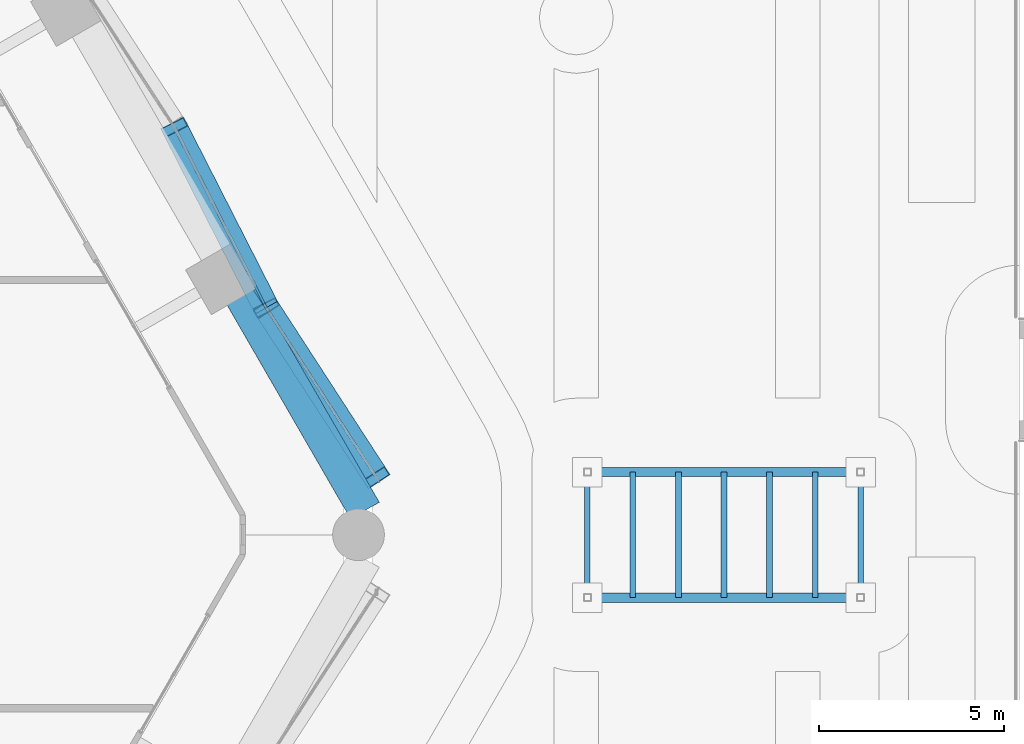
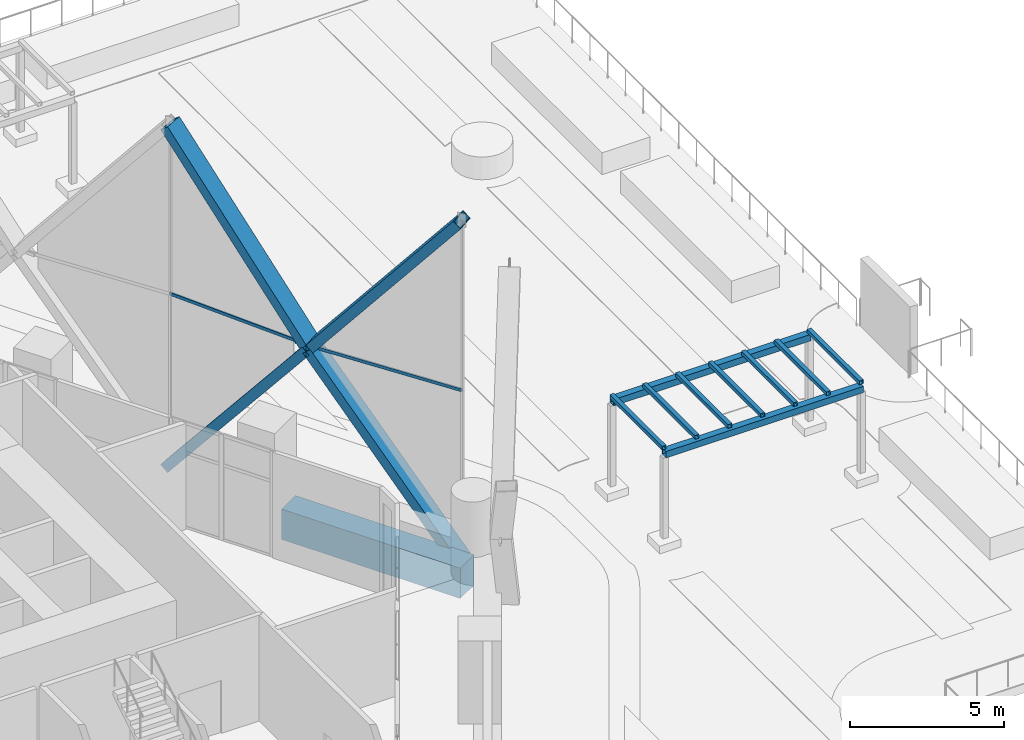
# One storey, part 38 of 71: 13 members, 3 beams, 1 element without a shape of its own.
"""IFC4 building model written with IfcOpenShell, lengths in metres."""

from ifc_helpers import new_model, si_unit, direction, frame, origin, origin_2d, place, context, subcontext, project, spatial, rectangle, hollow_rectangle, extrude, material, material_profile, profile_set, type_object, element, aggregate, save


model = new_model("IFC4")

# Units and contexts
model_context = context("Model", 3, precision=1e-05, world=origin(), true_north=direction((0.0, 1.0)))
body_context = subcontext(model_context, "Body", "Model", "MODEL_VIEW")
ifc_project = project(units=[si_unit("LENGTHUNIT", "METRE"), si_unit("AREAUNIT", "SQUARE_METRE"), si_unit("VOLUMEUNIT", "CUBIC_METRE"), si_unit("PLANEANGLEUNIT", "RADIAN"), si_unit("MASSUNIT", "GRAM", prefix="KILO")], contexts=[model_context])

# Site, building, storey
site_placement = place(None, origin())
site = spatial("IfcSite", under=ifc_project, at=site_placement, CompositionType="ELEMENT")
building_placement = place(site_placement, origin())
building = spatial("IfcBuilding", under=site, at=building_placement, Name="Ostrander Bayou Hotel Tower", CompositionType="ELEMENT")
storey_placement = place(building_placement, frame((0.0, 0.0, 10.0)))
storey = spatial("IfcBuildingStorey", under=building, at=storey_placement, Name="L02", CompositionType="ELEMENT", Elevation=10.0)

# Curtain wall, members
ifc_material_1 = material(Name="Aluminium and clear glass", Category="aluminium")
curtain_wall_type = type_object("IfcCurtainWallType", Name="CW-LAT lattice glazing", PredefinedType="NOTDEFINED", material=ifc_material_1)
curtain_wall_placement = place(storey_placement, origin())
curtain_wall = element("IfcCurtainWall", 1, at=curtain_wall_placement, inside=storey, type_object=curtain_wall_type, Name="CW-LAT L02 NE 2", PredefinedType="NOTDEFINED")
ifc_material_2 = material(Name="Aluminium", Category="aluminium")
ifc_material_profile_1 = material_profile(ifc_material_2, hollow_rectangle(XDim=0.06005859375, YDim=0.1201171875, WallThickness=0.00390625, at=origin_2d()))
ifc_profile_set_1 = profile_set([ifc_material_profile_1], Name="Aluminium")
member_type_1 = type_object("IfcMemberType", Name="CW-LA transom 60 x 120 mm", PredefinedType="USERDEFINED", material=ifc_profile_set_1)
member_1_placement = place(storey_placement, frame((24.58837890625, 1.551513671875, 6.14990234375), z_axis=(-0.544652890505, 0.838661569922, 0.0), x_axis=(-0.838661569922, -0.544652890505, 0.0)))
member_1 = element("IfcMember", 2, at=member_1_placement, type_object=member_type_1, Name="CW-LAT transom 3", ObjectType="TRANSOM", PredefinedType="USERDEFINED", context=body_context, shape_type="SweptSolid", body=[
    extrude(hollow_rectangle(XDim=0.06005859375, YDim=0.1201171875, WallThickness=0.00390625, at=origin_2d()), origin(), (0.0, 0.0, 1.0), 6.0634765625),
])
member_2_placement = place(storey_placement, frame((19.11328125, 11.034912109375, 6.14990234375), z_axis=(0.453987151201, -0.891008230346, 0.0), x_axis=(0.891008230346, 0.453987151201, 0.0)))
member_2 = element("IfcMember", 3, at=member_2_placement, type_object=member_type_1, Name="CW-LAT transom 6", ObjectType="TRANSOM", PredefinedType="USERDEFINED", context=body_context, shape_type="SweptSolid", body=[
    extrude(hollow_rectangle(XDim=0.06005859375, YDim=0.1201171875, WallThickness=0.00390625, at=origin_2d()), origin(), (0.0, 0.0, 1.0), 5.482666015625),
])
aggregate(curtain_wall, [member_1, member_2])

# Members
ifc_material_3 = material(Name="Steel ASTM A572 Gr 50", Category="steel")
ifc_material_profile_2 = material_profile(ifc_material_3, hollow_rectangle(XDim=0.699951171875, YDim=0.35009765625, WallThickness=0.02490234375, at=origin_2d()))
ifc_profile_set_2 = profile_set([ifc_material_profile_2], Name="Steel ASTM A572 Gr 50")
member_type_2 = type_object("IfcMemberType", Name="LT1 lattice member box 700 x 350 x 25 mm", PredefinedType="BRACE", material=ifc_profile_set_2)
for number, where, z_axis, x_axis, name in (
    (4, (21.602294921875, 6.14990234375, 6.14990234375), (0.343376932244, -0.528779700664, -0.776198628296), (0.838682608864, 0.544620493178, 0.0), "LT1 L02 NE 1"),
    (5, (21.602294921875, 6.14990234375, 6.14990234375), (0.343376932244, -0.528779700664, 0.776198628296), (0.838682608864, 0.544620493178, 0.0), "LT1 L02 NE 2"),
):
    element("IfcMember", number, at=place(storey_placement, frame(where, z_axis=z_axis, x_axis=x_axis)), inside=storey, type_object=member_type_2, Name=name, PredefinedType="BRACE", context=body_context, shape_type="SweptSolid", body=[
        extrude(hollow_rectangle(XDim=0.699951171875, YDim=0.35009765625, WallThickness=0.02490234375, at=origin_2d()), origin(), (0.0, 0.0, 1.0), 8.6962890625),
    ])
for number, where, z_axis, x_axis, name in (
    (6, (21.602294921875, 6.14990234375, 6.14990234375), (-0.28622400012, 0.561751448592, -0.776215905377), (-0.891008230346, -0.453987151201, 0.0), "LT1 L02 NE 3"),
    (7, (21.602294921875, 6.14990234375, 6.14990234375), (-0.28622400012, 0.561751448592, 0.776215905377), (-0.891008230346, -0.453987151201, 0.0), "LT1 L02 NE 4"),
):
    element("IfcMember", number, at=place(storey_placement, frame(where, z_axis=z_axis, x_axis=x_axis)), inside=storey, type_object=member_type_2, Name=name, PredefinedType="BRACE", context=body_context, shape_type="SweptSolid", body=[
        extrude(hollow_rectangle(XDim=0.699951171875, YDim=0.35009765625, WallThickness=0.02490234375, at=origin_2d()), origin(), (0.0, 0.0, 1.0), 8.696044921875),
    ])

# Beams
ifc_material_4 = material(Name="Steel ASTM A500 Gr C", Category="steel")
ifc_material_profile_3 = material_profile(ifc_material_4, hollow_rectangle(XDim=0.25390625, YDim=0.25390625, WallThickness=0.01171875, at=origin_2d()))
ifc_profile_set_3 = profile_set([ifc_material_profile_3], Name="Steel ASTM A500 Gr C")
beam_type_1 = type_object("IfcBeamType", Name="PG2 pergola beam HSS10x10x1/2", PredefinedType="BEAM", material=ifc_profile_set_3)
for number, where, z_axis, x_axis, name in (
    (8, (30.300048828125, -1.699951171875, 3.626953125), (1.0, 0.0, 0.0), (0.0, 1.0, 0.0), "PG2 pergola 5 beam 1"),
    (9, (30.300048828125, 1.699951171875, 3.626953125), (1.0, 0.0, 0.0), (0.0, 1.0, 0.0), "PG2 pergola 5 beam 2"),
):
    element("IfcBeam", number, at=place(storey_placement, frame(where, z_axis=z_axis, x_axis=x_axis)), inside=storey, type_object=beam_type_1, Name=name, PredefinedType="BEAM", context=body_context, shape_type="SweptSolid", body=[
        extrude(hollow_rectangle(XDim=0.25390625, YDim=0.25390625, WallThickness=0.01171875, at=origin_2d()), origin(), (0.0, 0.0, 1.0), 7.39990234375),
    ])

# Members
ifc_material_5 = material(Name="Steel ASTM A500 Gr C", Category="steel")
ifc_material_profile_4 = material_profile(ifc_material_5, hollow_rectangle(XDim=0.15234375, YDim=0.15234375, WallThickness=0.0087890625, at=origin_2d()))
ifc_profile_set_4 = profile_set([ifc_material_profile_4], Name="Steel ASTM A500 Gr C")
member_type_3 = type_object("IfcMemberType", Name="PG3 pergola rafter HSS6x6x3/8", PredefinedType="RAFTER", material=ifc_profile_set_4)
for number, where, z_axis, x_axis, name in (
    (10, (30.300048828125, -1.699951171875, 3.830078125), (0.0, 1.0, 0.0), (-1.0, 0.0, 0.0), "PG3 pergola 5 rafter 1"),
    (11, (31.533203125, -1.699951171875, 3.830078125), (0.0, 1.0, 0.0), (-1.0, 0.0, 0.0), "PG3 pergola 5 rafter 2"),
    (12, (32.7666015625, -1.699951171875, 3.830078125), (0.0, 1.0, 0.0), (-1.0, 0.0, 0.0), "PG3 pergola 5 rafter 3"),
    (13, (34.0, -1.699951171875, 3.830078125), (0.0, 1.0, 0.0), (-1.0, 0.0, 0.0), "PG3 pergola 5 rafter 4"),
    (14, (35.2333984375, -1.699951171875, 3.830078125), (0.0, 1.0, 0.0), (-1.0, 0.0, 0.0), "PG3 pergola 5 rafter 5"),
    (15, (36.466796875, -1.699951171875, 3.830078125), (0.0, 1.0, 0.0), (-1.0, 0.0, 0.0), "PG3 pergola 5 rafter 6"),
    (16, (37.699951171875, -1.699951171875, 3.830078125), (0.0, 1.0, 0.0), (-1.0, 0.0, 0.0), "PG3 pergola 5 rafter 7"),
):
    element("IfcMember", number, at=place(storey_placement, frame(where, z_axis=z_axis, x_axis=x_axis)), inside=storey, type_object=member_type_3, Name=name, PredefinedType="RAFTER", context=body_context, shape_type="SweptSolid", body=[
        extrude(hollow_rectangle(XDim=0.15234375, YDim=0.15234375, WallThickness=0.0087890625, at=origin_2d()), origin(), (0.0, 0.0, 1.0), 3.39990234375),
    ])

# Beam
ifc_material_6 = material(Name="Concrete f'c 70 MPa", Category="concrete")
ifc_material_profile_5 = material_profile(ifc_material_6, rectangle(XDim=0.89990234375, YDim=1.199951171875, at=origin_2d()))
ifc_profile_set_5 = profile_set([ifc_material_profile_5], Name="Concrete f'c 70 MPa")
beam_type_2 = type_object("IfcBeamType", Name="SP1 spandrel beam 900 x 1200 mm f'c 70 MPa", PredefinedType="SPANDREL", material=ifc_profile_set_5)
beam_placement = place(storey_placement, frame((24.274169921875, 0.656005859375, -0.60009765625), z_axis=(-0.500005133765, 0.866022439784, 0.0), x_axis=(-0.866022439784, -0.500005133765, 0.0)))
element("IfcBeam", 17, at=beam_placement, inside=storey, type_object=beam_type_2, Name="SP1 L02 NE-1", PredefinedType="SPANDREL", context=body_context, shape_type="SweptSolid", body=[
    extrude(rectangle(XDim=0.89990234375, YDim=1.199951171875, at=origin_2d()), origin(), (0.0, 0.0, 1.0), 6.70361328125),
])

save(model, "model.ifc")
